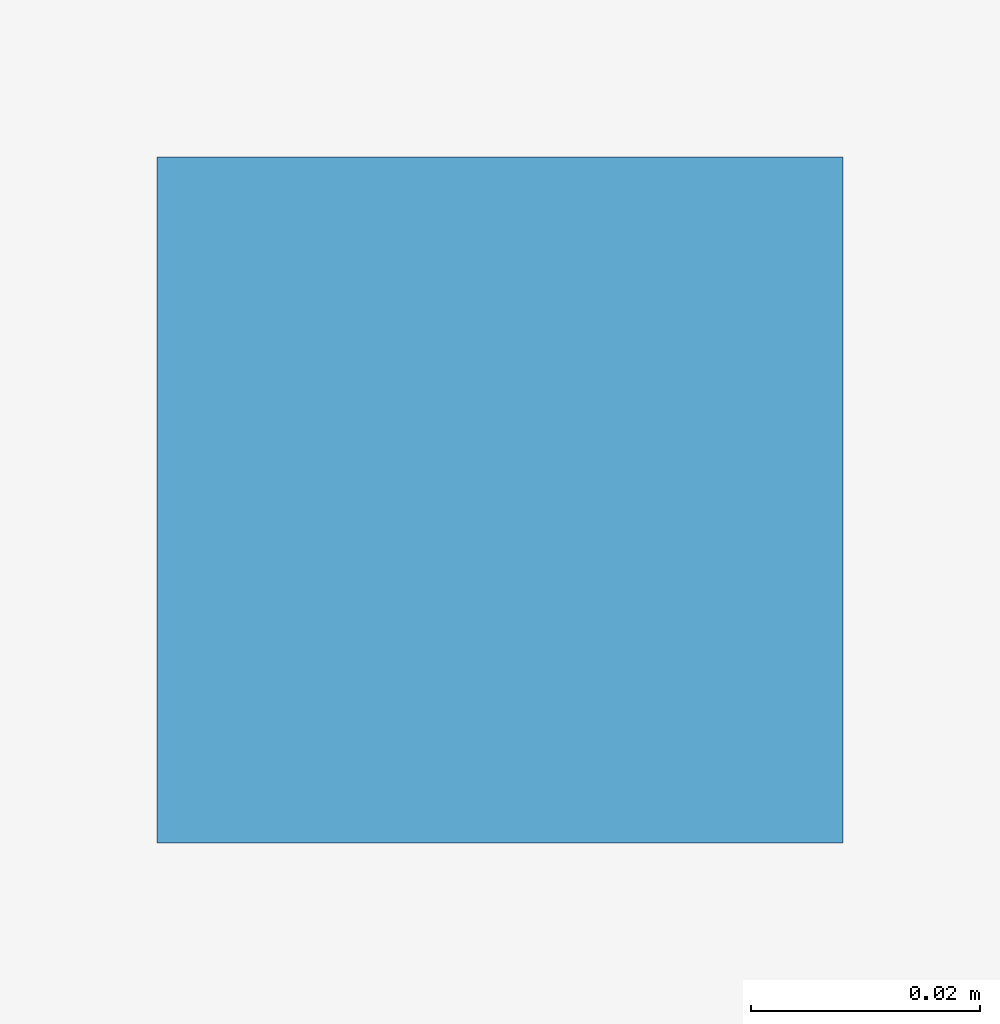
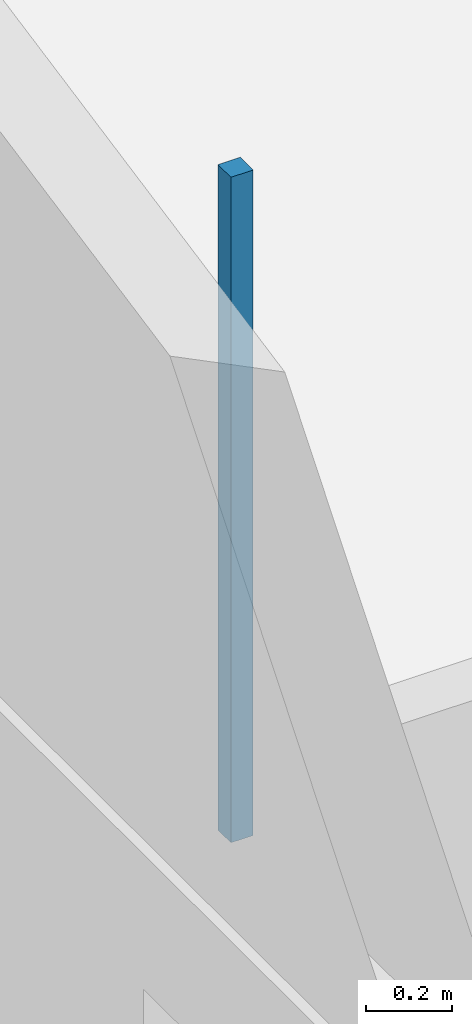
# One storey, part 64 of 93: 1 discrete accessory.
"""IFC4 building model written with IfcOpenShell, lengths in metres."""

from ifc_helpers import new_model, si_unit, direction, frame, origin, place, context, subcontext, project, spatial, polyline, outline, extrude, material, type_object, element, save


model = new_model("IFC4")

# Units and contexts
model_context = context("Model", 3, precision=1e-05, world=origin(), true_north=direction((0.0, 1.0)))
body_context = subcontext(model_context, "Body", "Model", "MODEL_VIEW")
ifc_project = project(units=[si_unit("LENGTHUNIT", "METRE"), si_unit("AREAUNIT", "SQUARE_METRE"), si_unit("VOLUMEUNIT", "CUBIC_METRE"), si_unit("PLANEANGLEUNIT", "RADIAN"), si_unit("MASSUNIT", "GRAM", prefix="KILO")], contexts=[model_context])

# Site, building, storey
site_placement = place(None, origin())
site = spatial("IfcSite", under=ifc_project, at=site_placement, CompositionType="ELEMENT")
building_placement = place(site_placement, origin())
building = spatial("IfcBuilding", under=site, at=building_placement, Name="Dunescarp Central Library", CompositionType="ELEMENT")
storey_placement = place(building_placement, frame((0.0, 0.0, 14.10009765625)))
storey = spatial("IfcBuildingStorey", under=building, at=storey_placement, Name="L03", CompositionType="ELEMENT", Elevation=14.10009765625)

# Discrete accessory
ifc_material = material(Name="Stainless steel Grade 316L", Category="steel")
discrete_accessory_type = type_object("IfcDiscreteAccessoryType", Name="ARC-ACC-BRK", PredefinedType="BRACKET", material=ifc_material)
discrete_accessory_placement = place(storey_placement, frame((0.0, 0.0, 3.059814453125)))
element("IfcDiscreteAccessory", 1, at=discrete_accessory_placement, inside=storey, type_object=discrete_accessory_type, Name="L03 ceiling hanger CLG-L03-135-H1", PredefinedType="BRACKET", context=body_context, shape_type="SweptSolid", body=[
    extrude(outline(polyline([(0.360107421875, 45.360107421875), (0.419921875, 45.360107421875), (0.419921875, 45.419921875), (0.360107421875, 45.419921875), (0.360107421875, 45.360107421875)])), origin(), (0.0, 0.0, 1.0), 1.884033203125),
])

save(model, "model.ifc")
